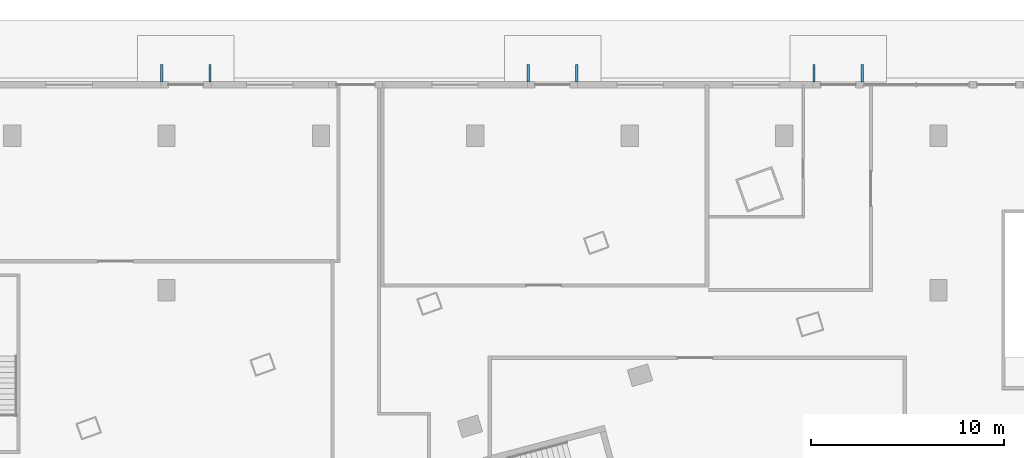
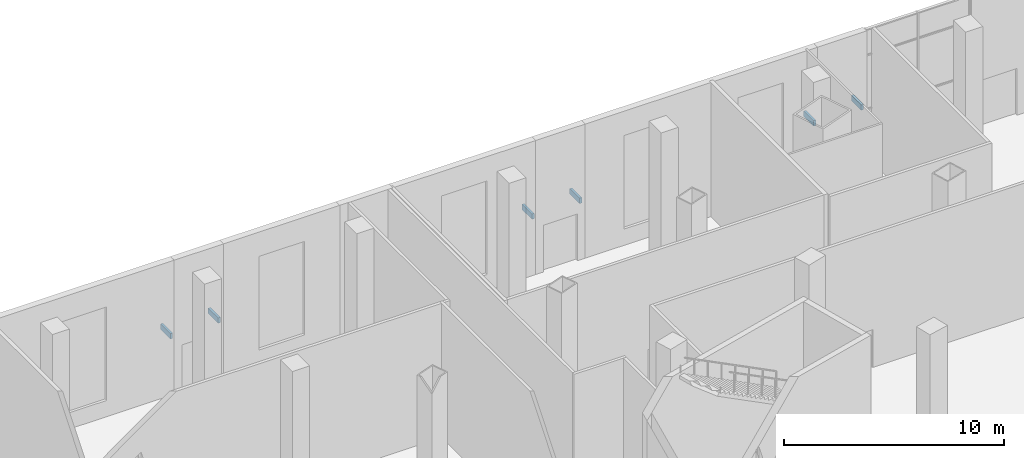
# One storey, part 24 of 33: 6 discrete accessories.
"""IFC4 building model written with IfcOpenShell, lengths in metres."""

from ifc_helpers import new_model, si_unit, direction, frame, origin, origin_2d, place, context, subcontext, project, spatial, rectangle, extrude, material, type_object, element, save


model = new_model("IFC4")

# Units and contexts
model_context = context("Model", 3, precision=1e-05, world=origin(), true_north=direction((0.0, 1.0)))
body_context = subcontext(model_context, "Body", "Model", "MODEL_VIEW")
ifc_project = project(units=[si_unit("LENGTHUNIT", "METRE"), si_unit("AREAUNIT", "SQUARE_METRE"), si_unit("VOLUMEUNIT", "CUBIC_METRE"), si_unit("PLANEANGLEUNIT", "RADIAN"), si_unit("MASSUNIT", "GRAM", prefix="KILO")], contexts=[model_context])

# Site, building, storey
site_placement = place(None, origin())
site = spatial("IfcSite", under=ifc_project, at=site_placement, CompositionType="ELEMENT")
building_placement = place(site_placement, origin())
building = spatial("IfcBuilding", under=site, at=building_placement, Name="Alderwake Tower", CompositionType="ELEMENT")
storey_placement = place(building_placement, origin())
storey = spatial("IfcBuildingStorey", under=building, at=storey_placement, Name="L00", CompositionType="ELEMENT", Elevation=0.0)

# Discrete accessories
ifc_material = material(Name="Steel ASTM A36 painted", Category="steel")
discrete_accessory_type = type_object("IfcDiscreteAccessoryType", Name="Canopy bracket", PredefinedType="BRACKET", material=ifc_material)
for number, where, z_axis, x_axis, name in (
    (1, (60.050048828125, 115.25, 2.8701171875), (0.0, 0.0, 1.0), (0.0, -1.0, 0.0), "Canopy bracket 04.1"),
    (2, (57.550048828125, 115.25, 2.8701171875), (0.0, 0.0, 1.0), (0.0, -1.0, 0.0), "Canopy bracket 04.2"),
    (3, (45.25, 115.25, 2.8701171875), (0.0, 0.0, 1.0), (0.0, -1.0, 0.0), "Canopy bracket 05.1"),
    (4, (42.75, 115.25, 2.8701171875), (0.0, 0.0, 1.0), (0.0, -1.0, 0.0), "Canopy bracket 05.2"),
    (5, (26.25, 115.25, 2.8701171875), (0.0, 0.0, 1.0), (0.0, -1.0, 0.0), "Canopy bracket 06.1"),
    (6, (23.75, 115.25, 2.8701171875), (0.0, 0.0, 1.0), (0.0, -1.0, 0.0), "Canopy bracket 06.2"),
):
    element("IfcDiscreteAccessory", number, at=place(storey_placement, frame(where, z_axis=z_axis, x_axis=x_axis)), inside=storey, type_object=discrete_accessory_type, Name=name, PredefinedType="BRACKET", context=body_context, shape_type="SweptSolid", body=[
        extrude(rectangle(XDim=0.89990234375, YDim=0.1201171875, at=origin_2d()), origin(), (0.0, 0.0, 1.0), 0.300048828125),
    ])

save(model, "model.ifc")
